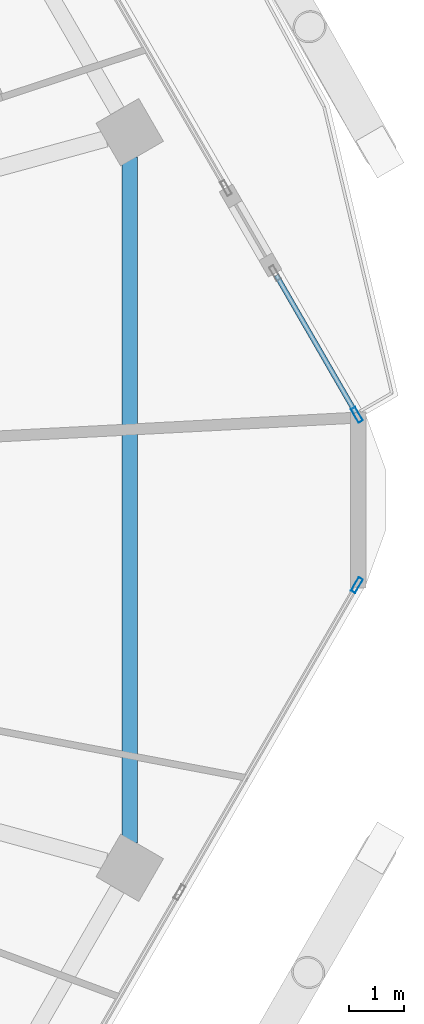
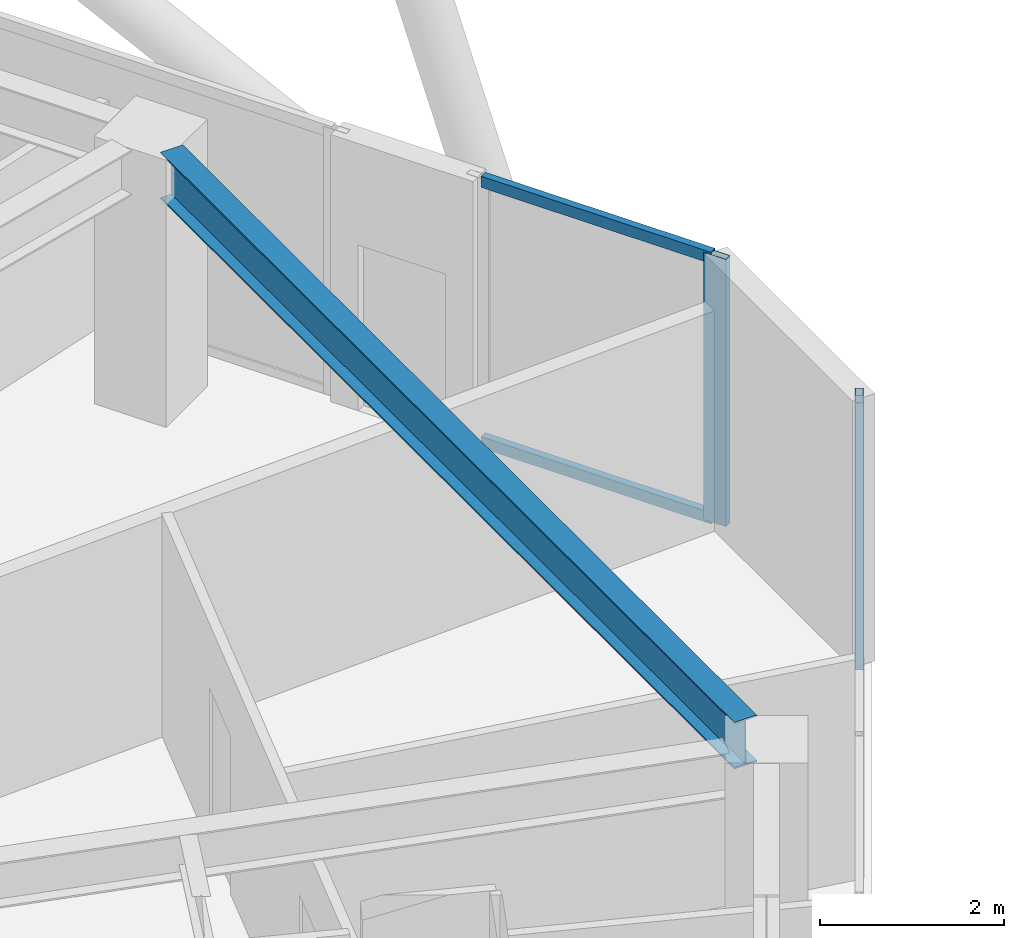
# One storey, part 11 of 27: 4 members, 1 beam, 2 elements without a shape of their own.
"""IFC4 building model written with IfcOpenShell, lengths in metres."""

from ifc_helpers import new_model, si_unit, direction, frame, origin, origin_2d, place, context, subcontext, project, spatial, hollow_rectangle, i_section, extrude, material, material_profile, profile_set, type_object, element, aggregate, save


model = new_model("IFC4")

# Units and contexts
model_context = context("Model", 3, precision=1e-05, world=origin(), true_north=direction((0.0, 1.0)))
body_context = subcontext(model_context, "Body", "Model", "MODEL_VIEW")
ifc_project = project(units=[si_unit("LENGTHUNIT", "METRE"), si_unit("AREAUNIT", "SQUARE_METRE"), si_unit("VOLUMEUNIT", "CUBIC_METRE"), si_unit("PLANEANGLEUNIT", "RADIAN"), si_unit("MASSUNIT", "GRAM", prefix="KILO")], contexts=[model_context])

# Site, building, storey
site_placement = place(None, origin())
site = spatial("IfcSite", under=ifc_project, at=site_placement, CompositionType="ELEMENT")
building_placement = place(site_placement, origin())
building = spatial("IfcBuilding", under=site, at=building_placement, Name="Zuhravey Tower", CompositionType="ELEMENT")
storey_placement = place(building_placement, frame((0.0, 0.0, 261.60009765625)))
storey = spatial("IfcBuildingStorey", under=building, at=storey_placement, Name="L66", CompositionType="ELEMENT", Elevation=261.60009765625)

# Curtain wall, member
ifc_material_1 = material(Name="Thermally broken anodised aluminium", Category="aluminium")
curtain_wall_type = type_object("IfcCurtainWallType", Name="Zone 3-4 High-Rise Curtain Wall CW4", PredefinedType="NOTDEFINED", material=ifc_material_1)
curtain_wall_1_placement = place(storey_placement, origin())
curtain_wall_1 = element("IfcCurtainWall", 1, at=curtain_wall_1_placement, inside=storey, type_object=curtain_wall_type, Name="L66 CW4 CW-L66-F6-1", PredefinedType="NOTDEFINED")
ifc_material_2 = material(Name="Anodised aluminium", Category="aluminium")
ifc_material_profile_1 = material_profile(ifc_material_2, hollow_rectangle(XDim=0.090087890625, YDim=0.284912109375, WallThickness=0.0048828125, at=origin_2d()), Name="ALU-RHS-90x285x5")
ifc_profile_set_1 = profile_set([ifc_material_profile_1], Name="Anodised aluminium")
member_type_1 = type_object("IfcMemberType", Name="Curtain-Wall Mullion 90x180", PredefinedType="MULLION", material=ifc_profile_set_1)
member_1_placement = place(storey_placement, frame((64.62255859375, 30.448486328125, 0.0), z_axis=(0.0, 0.0, 1.0), x_axis=(0.866024851021, -0.500000957414, 0.0)))
member_1 = element("IfcMember", 2, at=member_1_placement, type_object=member_type_1, Name="CW4 mullion 1", PredefinedType="MULLION", context=body_context, shape_type="SweptSolid", body=[
    extrude(hollow_rectangle(XDim=0.090087890625, YDim=0.284912109375, WallThickness=0.0048828125, at=origin_2d()), origin(), (0.0, 0.0, 1.0), 3.5498046875),
])
aggregate(curtain_wall_1, [member_1])

# Curtain wall, members
curtain_wall_2_placement = place(storey_placement, origin())
curtain_wall_2 = element("IfcCurtainWall", 3, at=curtain_wall_2_placement, inside=storey, type_object=curtain_wall_type, Name="L66 CW4 CW-L66-F1-2", PredefinedType="NOTDEFINED")
member_2_placement = place(storey_placement, frame((64.62255859375, 33.551513671875, 0.0), z_axis=(0.0, 0.0, 1.0), x_axis=(0.866022373964, 0.500005247766, 0.0)))
member_2 = element("IfcMember", 4, at=member_2_placement, type_object=member_type_1, Name="CW4 mullion 2", PredefinedType="MULLION", context=body_context, shape_type="SweptSolid", body=[
    extrude(hollow_rectangle(XDim=0.090087890625, YDim=0.284912109375, WallThickness=0.0048828125, at=origin_2d()), origin(), (0.0, 0.0, 1.0), 3.5498046875),
])
ifc_material_profile_2 = material_profile(ifc_material_2, hollow_rectangle(XDim=0.090087890625, YDim=0.14990234375, WallThickness=0.0048828125, at=origin_2d()), Name="ALU-RHS-90x150x5")
ifc_profile_set_2 = profile_set([ifc_material_profile_2], Name="Anodised aluminium")
member_type_2 = type_object("IfcMemberType", Name="Curtain-Wall Transom 90x150", PredefinedType="USERDEFINED", material=ifc_profile_set_2)
member_3_placement = place(storey_placement, frame((63.154541015625, 36.09423828125, 0.044921875), z_axis=(0.499980724263, -0.86603653235, 0.0), x_axis=(0.86603653235, 0.499980724263, 0.0)))
member_3 = element("IfcMember", 5, at=member_3_placement, type_object=member_type_2, Name="CW4 transom 1.1", ObjectType="TRANSOM", PredefinedType="USERDEFINED", context=body_context, shape_type="SweptSolid", body=[
    extrude(hollow_rectangle(XDim=0.090087890625, YDim=0.14990234375, WallThickness=0.0048828125, at=origin_2d()), origin(), (0.0, 0.0, 1.0), 2.89111328125),
])
member_4_placement = place(storey_placement, frame((63.154541015625, 36.09423828125, 3.5048828125), z_axis=(0.499980724263, -0.86603653235, 0.0), x_axis=(0.86603653235, 0.499980724263, 0.0)))
member_4 = element("IfcMember", 6, at=member_4_placement, type_object=member_type_2, Name="CW4 transom 1.2", ObjectType="TRANSOM", PredefinedType="USERDEFINED", context=body_context, shape_type="SweptSolid", body=[
    extrude(hollow_rectangle(XDim=0.090087890625, YDim=0.14990234375, WallThickness=0.0048828125, at=origin_2d()), origin(), (0.0, 0.0, 1.0), 2.89111328125),
])
aggregate(curtain_wall_2, [member_2, member_3, member_4])

# Beam
ifc_material_3 = material(Name="Steel SM355", Category="steel")
ifc_material_profile_3 = material_profile(ifc_material_3, i_section(OverallWidth=0.280029296875, OverallDepth=0.6201171875, WebThickness=0.011962890625, FlangeThickness=0.02001953125, at=origin_2d()), Name="H-620x280x12x20")
ifc_profile_set_3 = profile_set([ifc_material_profile_3], Name="Steel SM355")
beam_type = type_object("IfcBeamType", Name="Perimeter Ring Beam H620x280", PredefinedType="BEAM", material=ifc_profile_set_3)
beam_placement = place(storey_placement, frame((60.484619140625, 25.754150390625, 3.239990234375), z_axis=(0.0, 1.0, 0.0), x_axis=(-1.0, 0.0, 0.0)))
element("IfcBeam", 7, at=beam_placement, inside=storey, type_object=beam_type, Name="L66 PB3 BM-L66-PB-12", PredefinedType="BEAM", context=body_context, shape_type="SweptSolid", body=[
    extrude(i_section(OverallWidth=0.280029296875, OverallDepth=0.6201171875, WebThickness=0.011962890625, FlangeThickness=0.02001953125, at=origin_2d()), origin(), (0.0, 0.0, 1.0), 12.49169921875),
])

save(model, "model.ifc")
